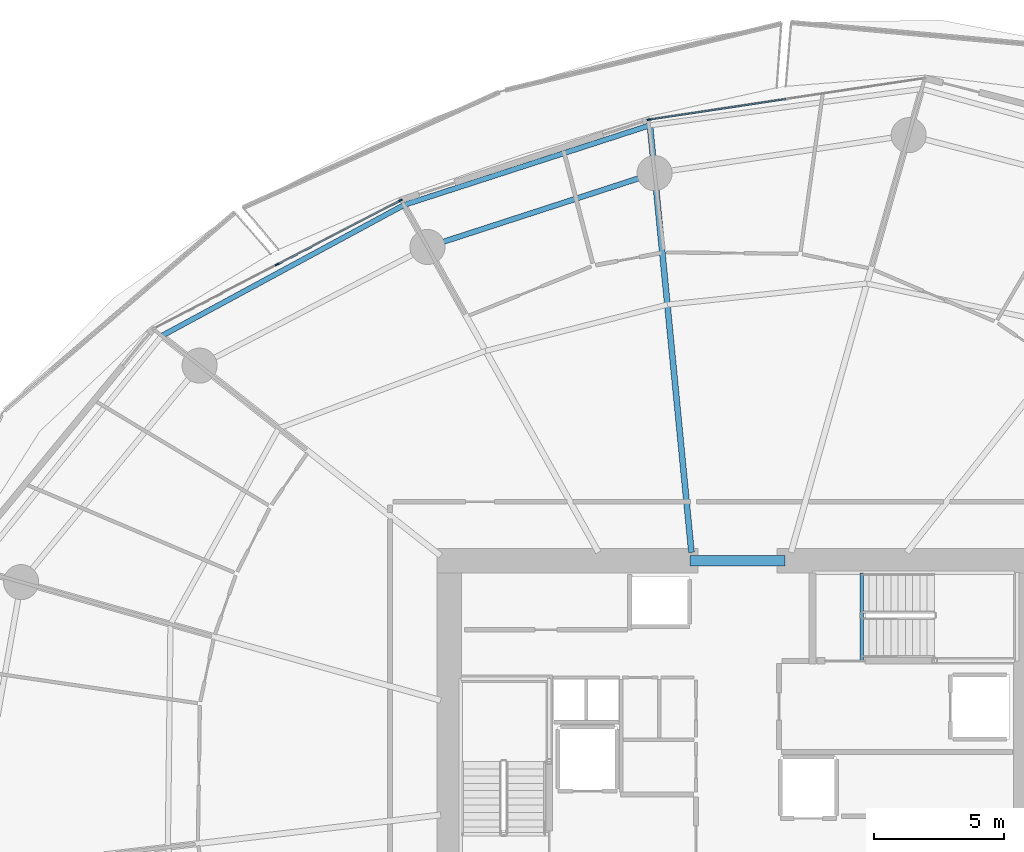
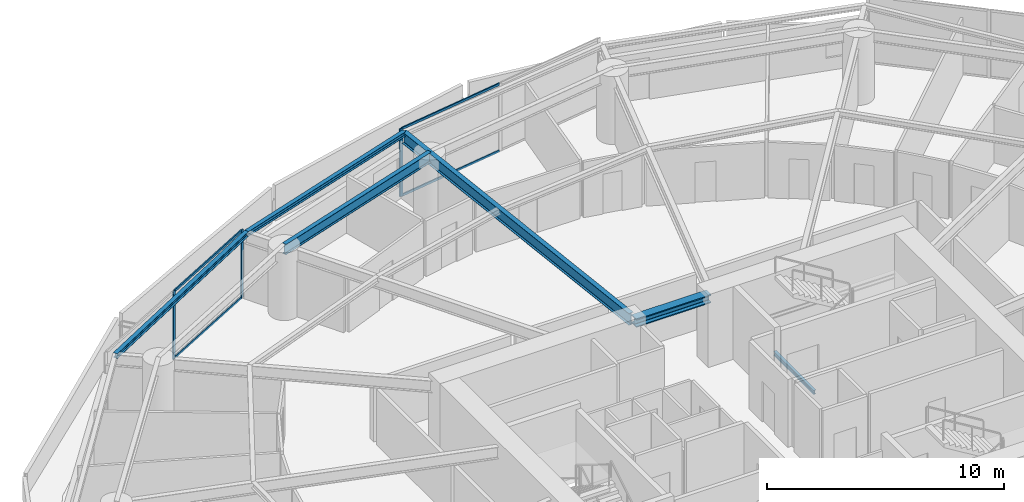
# One storey, part 13 of 31: 7 members, 6 beams, 2 elements without a shape of their own.
"""IFC4 building model written with IfcOpenShell, lengths in metres."""

from ifc_helpers import new_model, si_unit, direction, frame, origin, origin_2d, place, context, subcontext, project, spatial, rectangle, i_section, extrude, material, layer, layer_set, material_profile, profile_set, type_object, element, aggregate, save


model = new_model("IFC4")

# Units and contexts
model_context = context("Model", 3, precision=1e-05, world=origin(), true_north=direction((0.0, 1.0)))
body_context = subcontext(model_context, "Body", "Model", "MODEL_VIEW")
ifc_project = project(units=[si_unit("LENGTHUNIT", "METRE"), si_unit("AREAUNIT", "SQUARE_METRE"), si_unit("VOLUMEUNIT", "CUBIC_METRE"), si_unit("PLANEANGLEUNIT", "RADIAN"), si_unit("MASSUNIT", "GRAM", prefix="KILO")], contexts=[model_context])

# Site, building, storey
site_placement = place(None, origin())
site = spatial("IfcSite", under=ifc_project, at=site_placement, CompositionType="ELEMENT")
building_placement = place(site_placement, origin())
building = spatial("IfcBuilding", under=site, at=building_placement, Name="Kazma Halo Residences", CompositionType="ELEMENT")
storey_placement = place(building_placement, frame((0.0, 0.0, 30.14990234375)))
storey = spatial("IfcBuildingStorey", under=building, at=storey_placement, Name="L06", CompositionType="ELEMENT", Elevation=30.14990234375)

# Beams
ifc_material_1 = material(Name="Steel S355", Category="steel")
ifc_material_profile_1 = material_profile(ifc_material_1, i_section(OverallWidth=0.201904296875, OverallDepth=0.2470703125, WebThickness=0.00732421875, FlangeThickness=0.010986328125, FilletRadius=0.011962890625, at=origin_2d()), Name="W250x49.1")
ifc_profile_set_1 = profile_set([ifc_material_profile_1], Name="Steel S355")
beam_type_1 = type_object("IfcBeamType", Name="BM-BAL-CANT", PredefinedType="BEAM", material=ifc_profile_set_1)
beam_1_placement = place(storey_placement, frame((45.052734375, 67.230712890625, 3.376708984375), z_axis=(-0.951307246639, -0.308244257842, 0.0), x_axis=(0.308244257842, -0.951307246639, 0.0)))
element("IfcBeam", 1, at=beam_1_placement, inside=storey, type_object=beam_type_1, Name="L06 wave-balcony tie beam 04", PredefinedType="BEAM", context=body_context, shape_type="SweptSolid", body=[
    extrude(i_section(OverallWidth=0.201904296875, OverallDepth=0.2470703125, WebThickness=0.00732421875, FlangeThickness=0.010986328125, FilletRadius=0.011962890625, at=origin_2d()), origin(), (0.0, 0.0, 1.0), 9.949462890625),
])
beam_2_placement = place(storey_placement, frame((35.587646484375, 64.163818359375, 3.376708984375), z_axis=(-0.879759421466, -0.47541914175, 0.0), x_axis=(0.47541914175, -0.879759421466, 0.0)))
element("IfcBeam", 2, at=beam_2_placement, inside=storey, type_object=beam_type_1, Name="L06 wave-balcony tie beam 05", PredefinedType="BEAM", context=body_context, shape_type="SweptSolid", body=[
    extrude(i_section(OverallWidth=0.201904296875, OverallDepth=0.2470703125, WebThickness=0.00732421875, FlangeThickness=0.010986328125, FilletRadius=0.011962890625, at=origin_2d()), origin(), (0.0, 0.0, 1.0), 10.58935546875),
])
ifc_material_profile_2 = material_profile(ifc_material_1, i_section(OverallWidth=0.408935546875, OverallDepth=0.425048828125, WebThickness=0.03271484375, FlangeThickness=0.052490234375, FilletRadius=0.02001953125, at=origin_2d()), Name="W360x421")
ifc_profile_set_2 = profile_set([ifc_material_profile_2], Name="Steel S355")
beam_type_2 = type_object("IfcBeamType", Name="BM-CORE-W360H", PredefinedType="BEAM", material=ifc_profile_set_2)
beam_3_placement = place(storey_placement, frame((46.60009765625, 50.47509765625, 3.28759765625), z_axis=(1.0, 0.0, 0.0), x_axis=(0.0, 1.0, 0.0)))
element("IfcBeam", 3, at=beam_3_placement, inside=storey, type_object=beam_type_2, Name="L06 core coupling beam N", PredefinedType="BEAM", context=body_context, shape_type="SweptSolid", body=[
    extrude(i_section(OverallWidth=0.408935546875, OverallDepth=0.425048828125, WebThickness=0.03271484375, FlangeThickness=0.052490234375, FilletRadius=0.02001953125, at=origin_2d()), origin(), (0.0, 0.0, 1.0), 3.64990234375),
])
ifc_material_profile_3 = material_profile(ifc_material_1, i_section(OverallWidth=0.22802734375, OverallDepth=0.60791015625, WebThickness=0.01123046875, FlangeThickness=0.017333984375, FilletRadius=0.01806640625, at=origin_2d()), Name="W610x113")
ifc_profile_set_3 = profile_set([ifc_material_profile_3], Name="Steel S355")
beam_type_3 = type_object("IfcBeamType", Name="BM-RAD-W610", PredefinedType="BEAM", material=ifc_profile_set_3)
beam_4_placement = place(storey_placement, frame((46.64990234375, 50.800048828125, 3.196044921875), z_axis=(-0.096750509471, 0.995308665147, 0.0), x_axis=(-0.995308665147, -0.096750509471, 0.0)))
element("IfcBeam", 4, at=beam_4_placement, inside=storey, type_object=beam_type_3, Name="L06 radial floor beam 04", PredefinedType="BEAM", context=body_context, shape_type="SweptSolid", body=[
    extrude(i_section(OverallWidth=0.22802734375, OverallDepth=0.60791015625, WebThickness=0.01123046875, FlangeThickness=0.017333984375, FilletRadius=0.01806640625, at=origin_2d()), origin(), (0.0, 0.0, 1.0), 16.508056640625),
])
ifc_material_profile_4 = material_profile(ifc_material_1, i_section(OverallWidth=0.208984375, OverallDepth=0.532958984375, WebThickness=0.01025390625, FlangeThickness=0.015625, FilletRadius=0.01611328125, at=origin_2d()), Name="W530x92")
ifc_profile_set_4 = profile_set([ifc_material_profile_4], Name="Steel S355")
beam_type_4 = type_object("IfcBeamType", Name="BM-SPN-W530", PredefinedType="BEAM", material=ifc_profile_set_4)
beam_5_placement = place(storey_placement, frame((45.231689453125, 65.389404296875, 3.233642578125), z_axis=(-0.951054956346, -0.309021795363, 0.0), x_axis=(0.309021795363, -0.951054956346, 0.0)))
element("IfcBeam", 5, at=beam_5_placement, inside=storey, type_object=beam_type_4, Name="L06 perimeter ring beam 04", PredefinedType="BEAM", context=body_context, shape_type="SweptSolid", body=[
    extrude(i_section(OverallWidth=0.208984375, OverallDepth=0.532958984375, WebThickness=0.01025390625, FlangeThickness=0.015625, FilletRadius=0.01611328125, at=origin_2d()), origin(), (0.0, 0.0, 1.0), 9.189697265625),
])
ifc_material_profile_5 = material_profile(ifc_material_1, i_section(OverallWidth=0.133056640625, OverallDepth=0.20703125, WebThickness=0.005859375, FlangeThickness=0.00830078125, FilletRadius=0.010009765625, at=origin_2d()), Name="W200x26.6")
ifc_profile_set_5 = profile_set([ifc_material_profile_5], Name="Steel S355")
beam_type_5 = type_object("IfcBeamType", Name="BM-TRIM-W200", PredefinedType="BEAM", material=ifc_profile_set_5)
beam_6_placement = place(storey_placement, frame((53.199951171875, 46.6201171875, -0.35986328125), z_axis=(0.0, 1.0, 0.0), x_axis=(-1.0, 0.0, 0.0)))
element("IfcBeam", 6, at=beam_6_placement, inside=storey, type_object=beam_type_5, Name="L06 ST-02 floor landing support beam", PredefinedType="BEAM", context=body_context, shape_type="SweptSolid", body=[
    extrude(i_section(OverallWidth=0.133056640625, OverallDepth=0.20703125, WebThickness=0.005859375, FlangeThickness=0.00830078125, FilletRadius=0.010009765625, at=origin_2d()), origin(), (0.0, 0.0, 1.0), 3.3798828125),
])

# Curtain wall, member
ifc_material_2 = material(Name="Aluminium AW-6063 T6 and Triple-Silver Low-E Glass", Category="aluminium")
ifc_layer = layer(ifc_material_2, 0.159912109375)
ifc_layer_set = layer_set([ifc_layer], Name="Aluminium AW-6063 T6 and Triple-Silver Low-E Glass")
curtain_wall_type = type_object("IfcCurtainWallType", Name="CW-SYS-2", PredefinedType="NOTDEFINED", material=ifc_layer_set)
curtain_wall_1_placement = place(storey_placement, origin())
curtain_wall_1 = element("IfcCurtainWall", 7, at=curtain_wall_1_placement, inside=storey, type_object=curtain_wall_type, Name="L06 unitised curtain wall B03", PredefinedType="NOTDEFINED")
ifc_material_3 = material(Name="Aluminium AW-6063 T6", Category="aluminium")
ifc_material_profile_6 = material_profile(ifc_material_3, rectangle(XDim=0.06005859375, YDim=0.159912109375, at=origin_2d()), Name="CWM-60x160")
ifc_profile_set_6 = profile_set([ifc_material_profile_6], Name="Aluminium AW-6063 T6")
member_type_1 = type_object("IfcMemberType", Name="CW-SYS-2-MUL", PredefinedType="MULLION", material=ifc_profile_set_6)
member_1_placement = place(storey_placement, frame((45.018310546875, 67.447509765625, 0.0), z_axis=(0.0, 0.0, 1.0), x_axis=(0.148657272805, -0.988888777994, 0.0)))
member_1 = element("IfcMember", 8, at=member_1_placement, type_object=member_type_1, Name="CWS-2 mullion 3", PredefinedType="MULLION", context=body_context, shape_type="SweptSolid", body=[
    extrude(rectangle(XDim=0.06005859375, YDim=0.159912109375, at=origin_2d()), origin(), (0.0, 0.0, 1.0), 3.5),
])

# Curtain wall, members
curtain_wall_2_placement = place(storey_placement, origin())
curtain_wall_2 = element("IfcCurtainWall", 9, at=curtain_wall_2_placement, inside=storey, type_object=curtain_wall_type, Name="L06 unitised curtain wall B05", PredefinedType="NOTDEFINED")
member_2_placement = place(storey_placement, frame((35.45458984375, 64.340087890625, 0.0), z_axis=(0.0, 0.0, 1.0), x_axis=(0.460995912628, -0.887402258584, 0.0)))
member_2 = element("IfcMember", 10, at=member_2_placement, type_object=member_type_1, Name="CWS-2 mullion 1", PredefinedType="MULLION", context=body_context, shape_type="SweptSolid", body=[
    extrude(rectangle(XDim=0.06005859375, YDim=0.159912109375, at=origin_2d()), origin(), (0.0, 0.0, 1.0), 3.5),
])
member_3_placement = place(storey_placement, frame((30.7080078125, 61.874267578125, 0.0), z_axis=(0.0, 0.0, 1.0), x_axis=(0.460995912628, -0.887402258584, 0.0)))
member_3 = element("IfcMember", 11, at=member_3_placement, type_object=member_type_1, Name="CWS-2 mullion 2", PredefinedType="MULLION", context=body_context, shape_type="SweptSolid", body=[
    extrude(rectangle(XDim=0.06005859375, YDim=0.159912109375, at=origin_2d()), origin(), (0.0, 0.0, 1.0), 3.5),
])

# Member
ifc_material_profile_7 = material_profile(ifc_material_3, rectangle(XDim=0.06005859375, YDim=0.1201171875, at=origin_2d()), Name="CWT-60x120")
ifc_profile_set_7 = profile_set([ifc_material_profile_7], Name="Aluminium AW-6063 T6")
member_type_2 = type_object("IfcMemberType", Name="CW-SYS-2-TRN", PredefinedType="USERDEFINED", material=ifc_profile_set_7)
member_4_placement = place(storey_placement, frame((50.278076171875, 68.238037109375, 0.030029296875), z_axis=(-0.98889195415, -0.148636143041, 0.0), x_axis=(0.148636143041, -0.98889195415, 0.0)))
member_4 = element("IfcMember", 12, at=member_4_placement, type_object=member_type_2, Name="CWS-2 transom 2.1", ObjectType="TRANSOM", PredefinedType="USERDEFINED", context=body_context, shape_type="SweptSolid", body=[
    extrude(rectangle(XDim=0.06005859375, YDim=0.1201171875, at=origin_2d()), origin(), (0.0, 0.0, 1.0), 5.2890625),
])

member_5_placement = place(storey_placement, frame((50.278076171875, 68.238037109375, 3.47021484375), z_axis=(-0.98889195415, -0.148636143041, 0.0), x_axis=(0.148636143041, -0.98889195415, 0.0)))
member_5 = element("IfcMember", 13, at=member_5_placement, type_object=member_type_2, Name="CWS-2 transom 2.2", ObjectType="TRANSOM", PredefinedType="USERDEFINED", context=body_context, shape_type="SweptSolid", body=[
    extrude(rectangle(XDim=0.06005859375, YDim=0.1201171875, at=origin_2d()), origin(), (0.0, 0.0, 1.0), 5.2890625),
])

aggregate(curtain_wall_1, [member_1, member_4, member_5])

member_6_placement = place(storey_placement, frame((35.427978515625, 64.326171875, 0.030029296875), z_axis=(-0.887414738583, -0.460971888238, 0.0), x_axis=(0.460971888238, -0.887414738583, 0.0)))
member_6 = element("IfcMember", 14, at=member_6_placement, type_object=member_type_2, Name="CWS-2 transom 1.1", ObjectType="TRANSOM", PredefinedType="USERDEFINED", context=body_context, shape_type="SweptSolid", body=[
    extrude(rectangle(XDim=0.06005859375, YDim=0.1201171875, at=origin_2d()), origin(), (0.0, 0.0, 1.0), 5.288818359375),
])

member_7_placement = place(storey_placement, frame((35.427978515625, 64.326171875, 3.47021484375), z_axis=(-0.887414738583, -0.460971888238, 0.0), x_axis=(0.460971888238, -0.887414738583, 0.0)))
member_7 = element("IfcMember", 15, at=member_7_placement, type_object=member_type_2, Name="CWS-2 transom 1.2", ObjectType="TRANSOM", PredefinedType="USERDEFINED", context=body_context, shape_type="SweptSolid", body=[
    extrude(rectangle(XDim=0.06005859375, YDim=0.1201171875, at=origin_2d()), origin(), (0.0, 0.0, 1.0), 5.288818359375),
])

aggregate(curtain_wall_2, [member_2, member_3, member_6, member_7])

save(model, "model.ifc")
